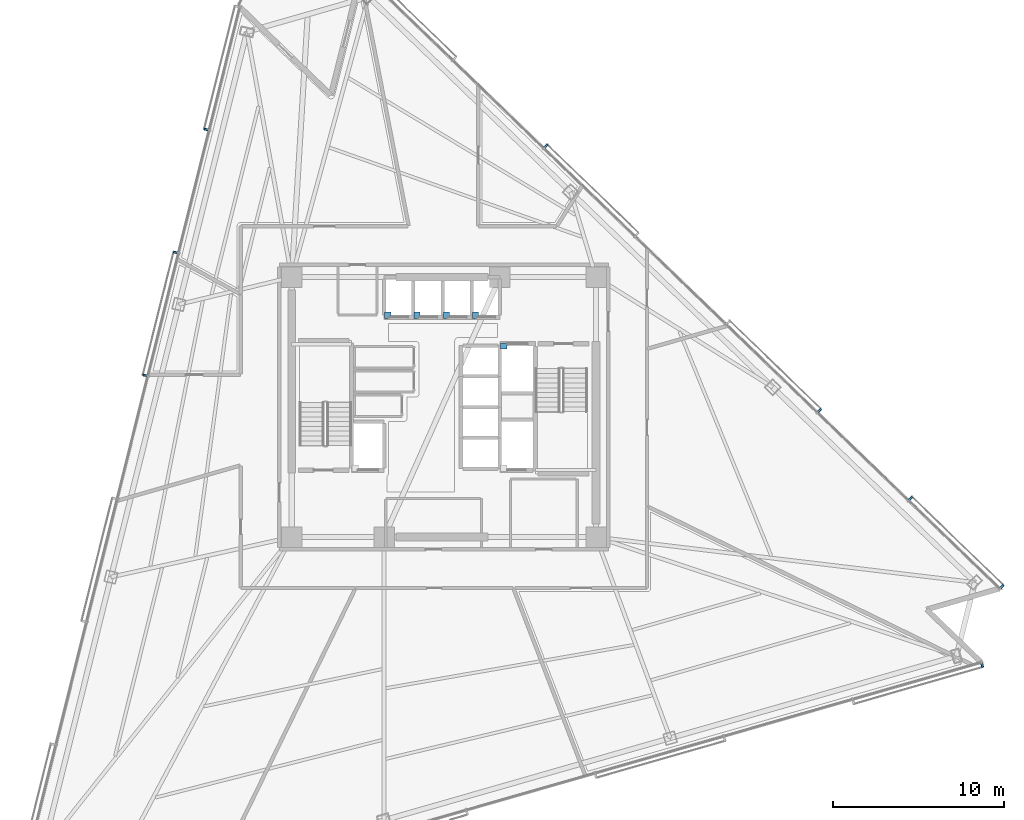
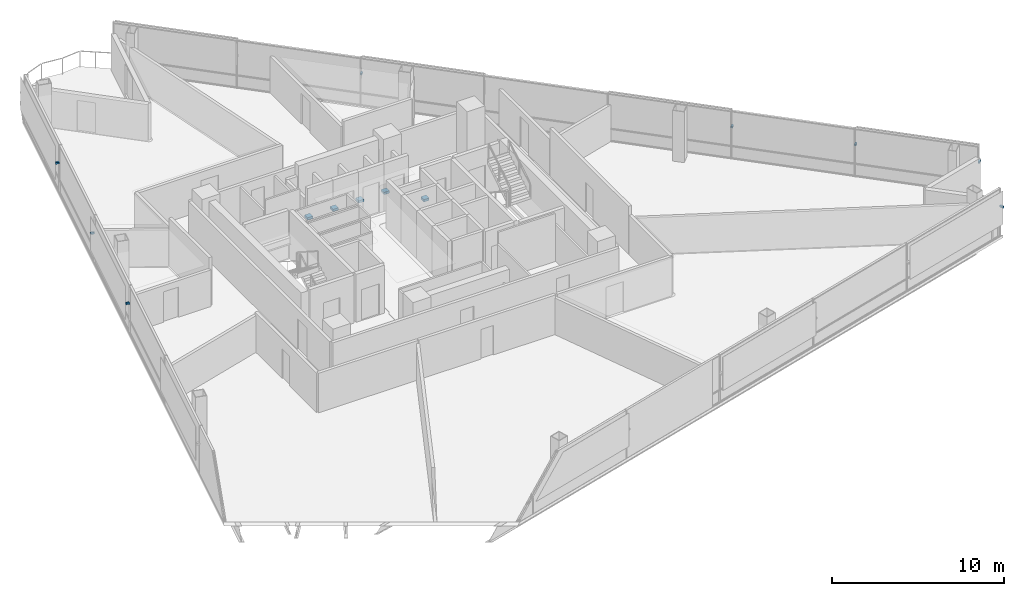
# One storey, part 13 of 17: 13 discrete accessories.
"""IFC4 building model written with IfcOpenShell, lengths in metres."""

from ifc_helpers import new_model, si_unit, direction, frame, origin, origin_2d, place, context, subcontext, project, spatial, rectangle, extrude, material, type_object, element, save


model = new_model("IFC4")

# Units and contexts
model_context = context("Model", 3, precision=1e-05, world=origin(), true_north=direction((0.0, 1.0)))
body_context = subcontext(model_context, "Body", "Model", "MODEL_VIEW")
ifc_project = project(units=[si_unit("LENGTHUNIT", "METRE"), si_unit("AREAUNIT", "SQUARE_METRE"), si_unit("VOLUMEUNIT", "CUBIC_METRE"), si_unit("PLANEANGLEUNIT", "RADIAN"), si_unit("MASSUNIT", "GRAM", prefix="KILO")], contexts=[model_context])

# Site, building, storey
site_placement = place(None, origin())
site = spatial("IfcSite", under=ifc_project, at=site_placement, CompositionType="ELEMENT")
building_placement = place(site_placement, origin())
building = spatial("IfcBuilding", under=site, at=building_placement, Name="Tharavind Bronze Gate", CompositionType="ELEMENT")
storey_placement = place(building_placement, frame((0.0, 0.0, 93.300048828125)))
storey = spatial("IfcBuildingStorey", under=building, at=storey_placement, Name="L23", CompositionType="ELEMENT", Elevation=93.300048828125)

# Discrete accessories
ifc_material_1 = material(Name="Galvanised Steel S355", Category="steel")
discrete_accessory_type_1 = type_object("IfcDiscreteAccessoryType", Name="LIFT GUIDE RAIL BRACKET", PredefinedType="BRACKET", material=ifc_material_1)
for number, where, z_axis, x_axis, name in (
    (1, (-3.280029296875, 5.3701171875, 1.1201171875), (0.0, 0.0, 1.0), (1.0, 0.0, 0.0), "Lift PL5 guide rail bracket at L23"),
    (2, (-1.5673828125, 5.3701171875, 1.1201171875), (0.0, 0.0, 1.0), (1.0, 0.0, 0.0), "Lift PL6 guide rail bracket at L23"),
    (3, (0.14501953125, 5.3701171875, 1.1201171875), (0.0, 0.0, 1.0), (1.0, 0.0, 0.0), "Lift PL7 guide rail bracket at L23"),
    (4, (1.857421875, 5.3701171875, 1.1201171875), (0.0, 0.0, 1.0), (1.0, 0.0, 0.0), "Lift PL8 guide rail bracket at L23"),
    (5, (3.5, 3.580078125, 1.1201171875), (0.0, 0.0, 1.0), (1.0, 0.0, 0.0), "Lift FFL2 guide rail bracket at L23"),
):
    element("IfcDiscreteAccessory", number, at=place(storey_placement, frame(where, z_axis=z_axis, x_axis=x_axis)), inside=storey, type_object=discrete_accessory_type_1, Name=name, PredefinedType="BRACKET", context=body_context, shape_type="SweptSolid", body=[
        extrude(rectangle(XDim=0.360107421875, YDim=0.360107421875, at=origin_2d()), origin(), (0.0, 0.0, 1.0), 0.159912109375),
    ])
ifc_material_2 = material(Name="Stainless Steel 316", Category="steel")
discrete_accessory_type_2 = type_object("IfcDiscreteAccessoryType", Name="SOLAR SCREEN STANDOFF BRACKET", PredefinedType="BRACKET", material=ifc_material_2)
for number, where, z_axis, x_axis, name in (
    (6, (-13.902099609375, 16.243896484375, 2.094970703125), (0.0, 0.0, 1.0), (-0.2419218956, -0.970295726276, 0.0), "CW-L23-S1 solar screen bracket 1.2"),
    (7, (-15.69580078125, 9.0498046875, 2.094970703125), (0.0, 0.0, 1.0), (-0.2419218956, -0.970295726276, 0.0), "CW-L23-S1 solar screen bracket 3.1"),
    (8, (-17.4892578125, 1.855712890625, 2.094970703125), (0.0, 0.0, 1.0), (-0.2419218956, -0.970295726276, 0.0), "CW-L23-S1 solar screen bracket 3.2"),
    (9, (31.48828125, -15.099609375, 2.094970703125), (0.0, 0.0, 1.0), (0.961261695938, 0.275637355817, 0.0), "CW-L23-S2 solar screen bracket 7.2"),
    (10, (32.637939453125, -10.489013671875, 2.094970703125), (0.0, 0.0, 1.0), (-0.719341012745, 0.694657114973, 0.0), "CW-L23-S3 solar screen bracket 1.1"),
    (11, (27.3046875, -5.338623046875, 2.094970703125), (0.0, 0.0, 1.0), (-0.719341012745, 0.694657114973, 0.0), "CW-L23-S3 solar screen bracket 1.2"),
    (12, (21.971435546875, -0.188232421875, 2.094970703125), (0.0, 0.0, 1.0), (-0.719341012745, 0.694657114973, 0.0), "CW-L23-S3 solar screen bracket 3.1"),
    (13, (5.97119140625, 15.2626953125, 2.094970703125), (0.0, 0.0, 1.0), (-0.719341012745, 0.694657114973, 0.0), "CW-L23-S3 solar screen bracket 5.2"),
):
    element("IfcDiscreteAccessory", number, at=place(storey_placement, frame(where, z_axis=z_axis, x_axis=x_axis)), inside=storey, type_object=discrete_accessory_type_2, Name=name, PredefinedType="BRACKET", context=body_context, shape_type="SweptSolid", body=[
        extrude(rectangle(XDim=0.1201171875, YDim=0.239990234375, at=origin_2d()), origin(), (0.0, 0.0, 1.0), 0.1201171875),
    ])

save(model, "model.ifc")
